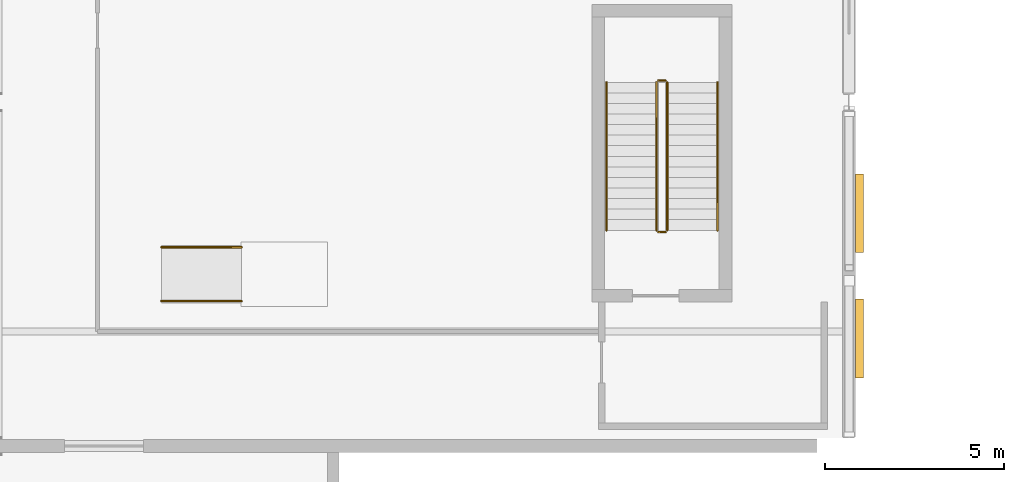
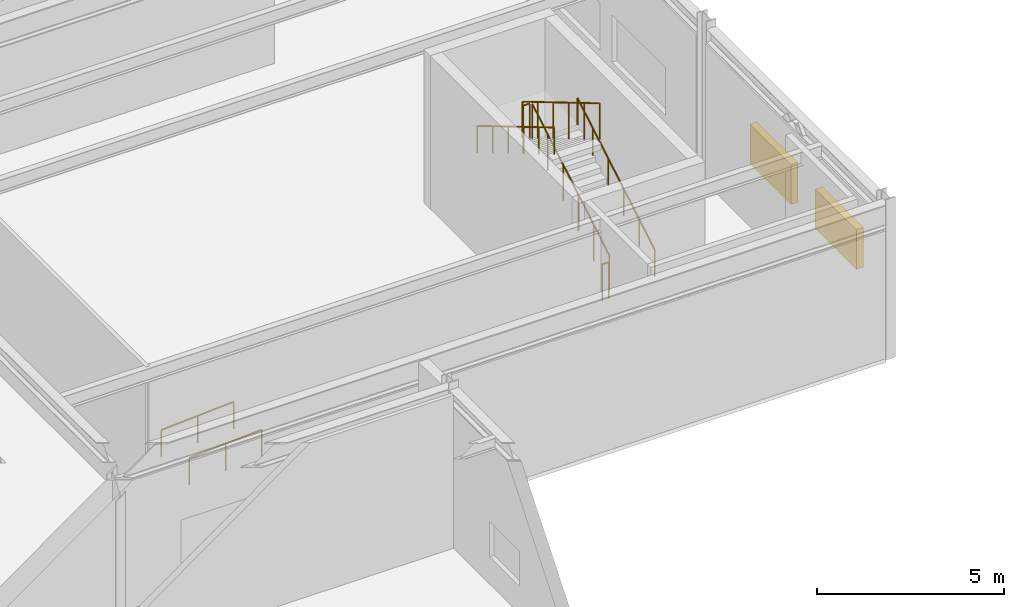
# One storey, part 103 of 109: 8 railings, 2 shading devices.
"""IFC4 building model written with IfcOpenShell, lengths in metres."""

from ifc_helpers import new_model, si_unit, direction, frame, origin, origin_2d, place, context, subcontext, project, spatial, rectangle, circle, extrude, material, layer, layer_set, type_object, element, save


model = new_model("IFC4")

# Units and contexts
model_context = context("Model", 3, precision=1e-05, world=origin(), true_north=direction((0.0, 1.0)))
body_context = subcontext(model_context, "Body", "Model", "MODEL_VIEW")
ifc_project = project(units=[si_unit("LENGTHUNIT", "METRE"), si_unit("AREAUNIT", "SQUARE_METRE"), si_unit("VOLUMEUNIT", "CUBIC_METRE"), si_unit("PLANEANGLEUNIT", "RADIAN"), si_unit("MASSUNIT", "GRAM", prefix="KILO")], contexts=[model_context])

# Site, building, storey
site_placement = place(None, origin())
site = spatial("IfcSite", under=ifc_project, at=site_placement, CompositionType="ELEMENT")
building_placement = place(site_placement, origin())
building = spatial("IfcBuilding", under=site, at=building_placement, Name="Nordkorset Police Headquarters", CompositionType="ELEMENT")
storey_placement = place(building_placement, origin())
storey = spatial("IfcBuildingStorey", under=building, at=storey_placement, Name="L00", CompositionType="ELEMENT", Elevation=0.0)

# Shading devices
ifc_material_1 = material(Name="Aluminium alloy AW-6060", Category="aluminium")
shading_device_type = type_object("IfcShadingDeviceType", Name="Louvre_Acoustic_Alu", PredefinedType="USERDEFINED", material=ifc_material_1)
for number, where, z_axis, x_axis, name in (
    (1, (115.489990234375, 51.0, 1.5498046875), (0.0, 0.0, 1.0), (1.0, 0.0, 0.0), "Weatherproof Acoustic Plant Louvre 01"),
    (2, (115.489990234375, 54.5, 1.5498046875), (0.0, 0.0, 1.0), (1.0, 0.0, 0.0), "Weatherproof Acoustic Plant Louvre 02"),
):
    element("IfcShadingDevice", number, at=place(storey_placement, frame(where, z_axis=z_axis, x_axis=x_axis)), inside=storey, type_object=shading_device_type, Name=name, ObjectType="ACOUSTIC LOUVRE", PredefinedType="USERDEFINED", context=body_context, shape_type="SweptSolid", body=[
        extrude(rectangle(XDim=0.219970703125, YDim=2.199951171875, at=origin_2d()), origin(), (0.0, 0.0, 1.0), 1.300048828125),
    ])

# Railings
ifc_material_2 = material(Name="Steel S355J2", Category="steel")
ifc_layer_1 = layer(ifc_material_2, 0.048095703125, Name="Steel S355J2")
ifc_layer_set_1 = layer_set([ifc_layer_1], Name="Steel S355J2")
railing_type_1 = type_object("IfcRailingType", Name="Railing_Handrail_900", PredefinedType="HANDRAIL", material=ifc_layer_set_1)
railing_1_placement = place(storey_placement, frame((111.52490234375, 54.02490234375, 0.175048828125)))
element("IfcRailing", 3, at=railing_1_placement, inside=storey, type_object=railing_type_1, Name="L00 ST-09 stair handrail 1", PredefinedType="HANDRAIL", context=body_context, shape_type="SweptSolid", body=[
    extrude(circle(Radius=0.02392578125, at=origin_2d()), frame((0.0, 0.0, 0.8759765625), z_axis=(0.0, 0.860065997128, 0.510182791345), x_axis=(-1.0, 0.0, 0.0)), (0.0, 0.0, 1.0), 4.802001953125),
    extrude(circle(Radius=0.02099609375, at=origin_2d()), origin(), (0.0, 0.0, 1.0), 0.851806640625),
    extrude(circle(Radius=0.02099609375, at=origin_2d()), frame((0.0, 0.825927734375, 0.489990234375)), (0.0, 0.0, 1.0), 0.851806640625),
    extrude(circle(Radius=0.02099609375, at=origin_2d()), frame((0.0, 1.652099609375, 0.97998046875)), (0.0, 0.0, 1.0), 0.851806640625),
    extrude(circle(Radius=0.02099609375, at=origin_2d()), frame((0.0, 2.47802734375, 1.469970703125)), (0.0, 0.0, 1.0), 0.851806640625),
    extrude(circle(Radius=0.02099609375, at=origin_2d()), frame((0.0, 3.30419921875, 1.9599609375)), (0.0, 0.0, 1.0), 0.851806640625),
    extrude(circle(Radius=0.02099609375, at=origin_2d()), frame((0.0, 4.130126953125, 2.449951171875)), (0.0, 0.0, 1.0), 0.851806640625),
])
railing_2_placement = place(storey_placement, frame((108.425048828125, 58.155029296875, 2.800048828125)))
element("IfcRailing", 4, at=railing_2_placement, inside=storey, type_object=railing_type_1, Name="L00 ST-09 stair handrail 2", PredefinedType="HANDRAIL", context=body_context, shape_type="SweptSolid", body=[
    extrude(circle(Radius=0.02392578125, at=origin_2d()), frame((0.0, 0.0, 0.8759765625), z_axis=(0.0, -0.860065997128, 0.510182791345), x_axis=(1.0, 0.0, 0.0)), (0.0, 0.0, 1.0), 4.802001953125),
    extrude(circle(Radius=0.02099609375, at=origin_2d()), origin(), (0.0, 0.0, 1.0), 0.851806640625),
    extrude(circle(Radius=0.02099609375, at=origin_2d()), frame((0.0, -0.825927734375, 0.489990234375)), (0.0, 0.0, 1.0), 0.851806640625),
    extrude(circle(Radius=0.02099609375, at=origin_2d()), frame((0.0, -1.652099609375, 0.97998046875)), (0.0, 0.0, 1.0), 0.851806640625),
    extrude(circle(Radius=0.02099609375, at=origin_2d()), frame((0.0, -2.47802734375, 1.469970703125)), (0.0, 0.0, 1.0), 0.851806640625),
    extrude(circle(Radius=0.02099609375, at=origin_2d()), frame((0.0, -3.30419921875, 1.9599609375)), (0.0, 0.0, 1.0), 0.851806640625),
    extrude(circle(Radius=0.02099609375, at=origin_2d()), frame((0.0, -4.130126953125, 2.449951171875)), (0.0, 0.0, 1.0), 0.851806640625),
])
for number, where, name in (
    (5, (96.0, 52.050048828125, 0.0), "Patrol Briefing Dais Ramp Handrail S"),
    (6, (96.0, 53.550048828125, 0.0), "Patrol Briefing Dais Ramp Handrail N"),
):
    element("IfcRailing", number, at=place(storey_placement, frame(where)), inside=storey, type_object=railing_type_1, Name=name, PredefinedType="HANDRAIL", context=body_context, shape_type="SweptSolid", body=[
        extrude(circle(Radius=0.02392578125, at=origin_2d()), frame((0.0, 0.0, 0.8759765625), z_axis=(0.998055540234, 0.0, 0.06233088006), x_axis=(0.0, 1.0, 0.0)), (0.0, 0.0, 1.0), 2.244384765625),
        extrude(circle(Radius=0.02099609375, at=origin_2d()), origin(), (0.0, 0.0, 1.0), 0.851806640625),
        extrude(circle(Radius=0.02099609375, at=origin_2d()), frame((1.1201171875, 0.0, 0.06982421875)), (0.0, 0.0, 1.0), 0.851806640625),
        extrude(circle(Radius=0.02099609375, at=origin_2d()), frame((2.239990234375, 0.0, 0.139892578125)), (0.0, 0.0, 1.0), 0.851806640625),
    ])
ifc_material_3 = material(Name="Steel S355J2", Category="steel")
ifc_layer_2 = layer(ifc_material_3, 0.050048828125, Name="Steel S355J2")
ifc_layer_set_2 = layer_set([ifc_layer_2], Name="Steel S355J2")
railing_type_2 = type_object("IfcRailingType", Name="Railing_StairGuard_1200", PredefinedType="GUARDRAIL", material=ifc_layer_set_2)
railing_3_placement = place(storey_placement, frame((110.125, 54.02490234375, 0.175048828125)))
element("IfcRailing", 7, at=railing_3_placement, inside=storey, type_object=railing_type_2, Name="L00 ST-09 stair guard 1", PredefinedType="GUARDRAIL", context=body_context, shape_type="SweptSolid", body=[
    extrude(circle(Radius=0.02392578125, at=origin_2d()), frame((0.0, 0.0, 1.17578125), z_axis=(0.0, 0.860065997128, 0.510182791345), x_axis=(-1.0, 0.0, 0.0)), (0.0, 0.0, 1.0), 4.802001953125),
    extrude(circle(Radius=0.02099609375, at=origin_2d()), origin(), (0.0, 0.0, 1.0), 1.15185546875),
    extrude(circle(Radius=0.02099609375, at=origin_2d()), frame((0.0, 0.825927734375, 0.489990234375)), (0.0, 0.0, 1.0), 1.15185546875),
    extrude(circle(Radius=0.02099609375, at=origin_2d()), frame((0.0, 1.652099609375, 0.97998046875)), (0.0, 0.0, 1.0), 1.15185546875),
    extrude(circle(Radius=0.02099609375, at=origin_2d()), frame((0.0, 2.47802734375, 1.469970703125)), (0.0, 0.0, 1.0), 1.15185546875),
    extrude(circle(Radius=0.02099609375, at=origin_2d()), frame((0.0, 3.30419921875, 1.9599609375)), (0.0, 0.0, 1.0), 1.15185546875),
    extrude(circle(Radius=0.02099609375, at=origin_2d()), frame((0.0, 4.130126953125, 2.449951171875)), (0.0, 0.0, 1.0), 1.15185546875),
])
railing_4_placement = place(storey_placement, frame((110.074951171875, 58.205078125, 2.625)))
element("IfcRailing", 8, at=railing_4_placement, inside=storey, type_object=railing_type_2, Name="L00 ST-09 stair guard 2", PredefinedType="GUARDRAIL", context=body_context, shape_type="SweptSolid", body=[
    extrude(circle(Radius=0.02392578125, at=origin_2d()), frame((0.0, 0.0, 1.17578125), z_axis=(-1.0, 0.0, 0.0), x_axis=(0.0, -1.0, 0.0)), (0.0, 0.0, 1.0), 0.199951171875),
    extrude(circle(Radius=0.02099609375, at=origin_2d()), origin(), (0.0, 0.0, 1.0), 1.15185546875),
    extrude(circle(Radius=0.02099609375, at=origin_2d()), frame((-0.199951171875, 0.0, 0.0)), (0.0, 0.0, 1.0), 1.15185546875),
])
railing_5_placement = place(storey_placement, frame((109.824951171875, 58.155029296875, 2.800048828125)))
element("IfcRailing", 9, at=railing_5_placement, inside=storey, type_object=railing_type_2, Name="L00 ST-09 stair guard 3", PredefinedType="GUARDRAIL", context=body_context, shape_type="SweptSolid", body=[
    extrude(circle(Radius=0.02392578125, at=origin_2d()), frame((0.0, 0.0, 1.17578125), z_axis=(0.0, -0.860065997128, 0.510182791345), x_axis=(1.0, 0.0, 0.0)), (0.0, 0.0, 1.0), 4.802001953125),
    extrude(circle(Radius=0.02099609375, at=origin_2d()), origin(), (0.0, 0.0, 1.0), 1.15185546875),
    extrude(circle(Radius=0.02099609375, at=origin_2d()), frame((0.0, -0.825927734375, 0.489990234375)), (0.0, 0.0, 1.0), 1.15185546875),
    extrude(circle(Radius=0.02099609375, at=origin_2d()), frame((0.0, -1.652099609375, 0.97998046875)), (0.0, 0.0, 1.0), 1.15185546875),
    extrude(circle(Radius=0.02099609375, at=origin_2d()), frame((0.0, -2.47802734375, 1.469970703125)), (0.0, 0.0, 1.0), 1.15185546875),
    extrude(circle(Radius=0.02099609375, at=origin_2d()), frame((0.0, -3.30419921875, 1.9599609375)), (0.0, 0.0, 1.0), 1.15185546875),
    extrude(circle(Radius=0.02099609375, at=origin_2d()), frame((0.0, -4.130126953125, 2.449951171875)), (0.0, 0.0, 1.0), 1.15185546875),
])
railing_6_placement = place(storey_placement, frame((110.074951171875, 53.97509765625, 0.0)))
element("IfcRailing", 10, at=railing_6_placement, inside=storey, type_object=railing_type_2, Name="L00 ST-09 stair guard 4", PredefinedType="GUARDRAIL", context=body_context, shape_type="SweptSolid", body=[
    extrude(circle(Radius=0.02392578125, at=origin_2d()), frame((0.0, 0.0, 1.17578125), z_axis=(-1.0, 0.0, 0.0), x_axis=(0.0, -1.0, 0.0)), (0.0, 0.0, 1.0), 0.199951171875),
    extrude(circle(Radius=0.02099609375, at=origin_2d()), origin(), (0.0, 0.0, 1.0), 1.15185546875),
    extrude(circle(Radius=0.02099609375, at=origin_2d()), frame((-0.199951171875, 0.0, 0.0)), (0.0, 0.0, 1.0), 1.15185546875),
])

save(model, "model.ifc")
